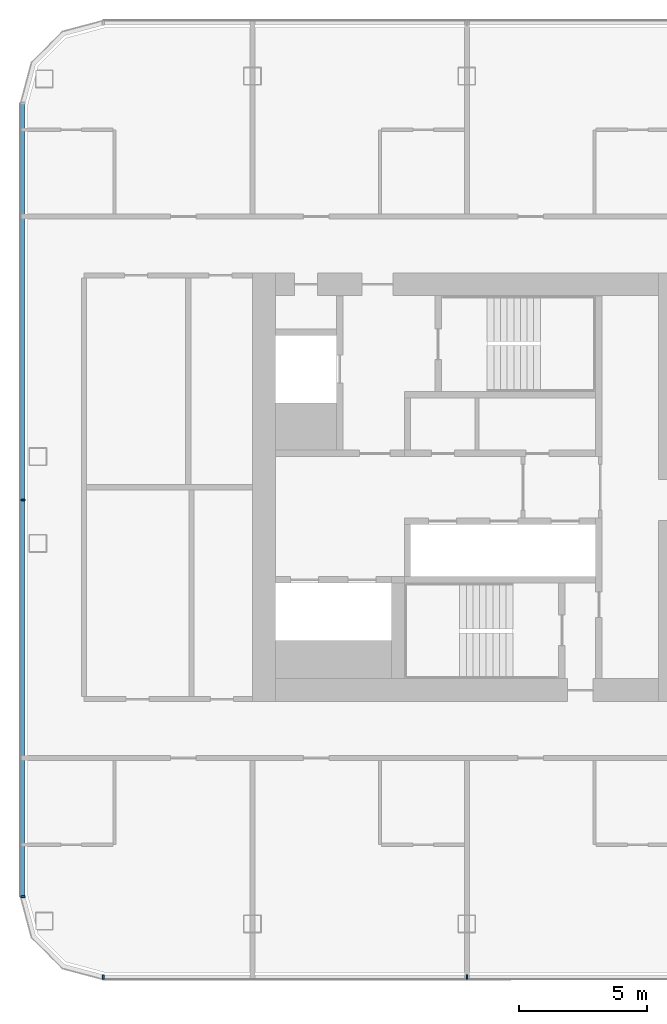
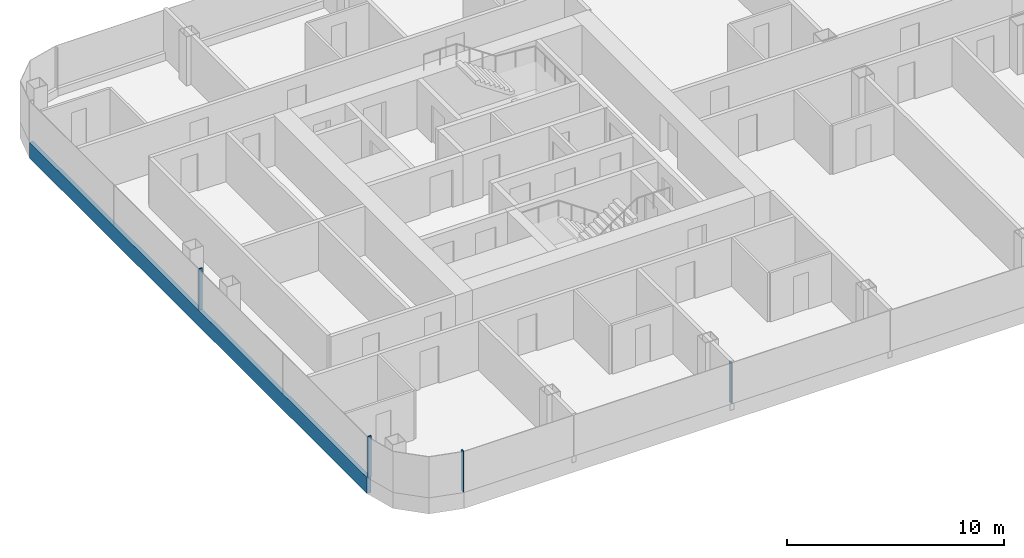
# One storey, part 2 of 26: 5 members, 2 elements without a shape of their own.
"""IFC4 building model written with IfcOpenShell, lengths in metres."""

from ifc_helpers import new_model, si_unit, direction, frame, origin, origin_2d, place, context, subcontext, project, spatial, rectangle, extrude, material, layer, layer_set, material_profile, profile_set, type_object, element, aggregate, save


model = new_model("IFC4")

# Units and contexts
model_context = context("Model", 3, precision=1e-05, world=origin(), true_north=direction((0.0, 1.0)))
body_context = subcontext(model_context, "Body", "Model", "MODEL_VIEW")
ifc_project = project(units=[si_unit("LENGTHUNIT", "METRE"), si_unit("AREAUNIT", "SQUARE_METRE"), si_unit("VOLUMEUNIT", "CUBIC_METRE"), si_unit("PLANEANGLEUNIT", "RADIAN"), si_unit("MASSUNIT", "GRAM", prefix="KILO")], contexts=[model_context])

# Site, building, storey
site_placement = place(None, origin())
site = spatial("IfcSite", under=ifc_project, at=site_placement, CompositionType="ELEMENT")
building_placement = place(site_placement, origin())
building = spatial("IfcBuilding", under=site, at=building_placement, Name="Hakoniwa Tower and Hamabe Station Hall", CompositionType="ELEMENT")
storey_placement = place(building_placement, frame((0.0, 0.0, 131.0)))
storey = spatial("IfcBuildingStorey", under=building, at=storey_placement, Name="L36", CompositionType="ELEMENT", Elevation=131.0)

# Curtain wall, members
ifc_material_1 = material(Name="Dark low-e laminated glass", Category="glass")
ifc_layer = layer(ifc_material_1, 0.199951171875)
ifc_layer_set = layer_set([ifc_layer], Name="CW-1 UNITISED GUEST")
curtain_wall_type = type_object("IfcCurtainWallType", Name="CW-1 UNITISED GUEST", PredefinedType="NOTDEFINED", material=ifc_layer_set)
curtain_wall_1_placement = place(storey_placement, origin())
curtain_wall_1 = element("IfcCurtainWall", 1, at=curtain_wall_1_placement, inside=storey, type_object=curtain_wall_type, Name="CW-1 curtain wall", PredefinedType="NOTDEFINED")
ifc_material_2 = material(Name="Aluminium 6063-T5 black anodised", Category="aluminium")
ifc_material_profile_1 = material_profile(ifc_material_2, rectangle(XDim=0.199951171875, YDim=0.89990234375, at=origin_2d()), Name="CW SLAB-EDGE BAND 900X200")
ifc_profile_set_1 = profile_set([ifc_material_profile_1], Name="Aluminium 6063-T5 black anodised")
member_type_1 = type_object("IfcMemberType", Name="CW SLAB-EDGE BAND 900X200", PredefinedType="USERDEFINED", material=ifc_profile_set_1)
member_1_placement = place(storey_placement, frame((-42.60009765625, 15.03955078125, -0.10009765625), z_axis=(0.0, -1.0, 0.0), x_axis=(1.0, 0.0, 0.0)))
member_1 = element("IfcMember", 2, at=member_1_placement, type_object=member_type_1, Name="CW-1 transom", ObjectType="TRANSOM", PredefinedType="USERDEFINED", context=body_context, shape_type="SweptSolid", body=[
    extrude(rectangle(XDim=0.199951171875, YDim=0.89990234375, at=origin_2d()), origin(), (0.0, 0.0, 1.0), 31.0791015625),
])
ifc_material_3 = material(Name="Aluminium 6063-T5 black anodised", Category="aluminium")
ifc_material_profile_2 = material_profile(ifc_material_3, rectangle(XDim=0.06005859375, YDim=0.179931640625, at=origin_2d()), Name="CW-1 MULLION 60X180")
ifc_profile_set_2 = profile_set([ifc_material_profile_2], Name="Aluminium 6063-T5 black anodised")
member_type_2 = type_object("IfcMemberType", Name="CW-1 MULLION 60X180", PredefinedType="MULLION", material=ifc_profile_set_2)
member_2_placement = place(storey_placement, frame((-42.58203125, -0.5, 0.35009765625), z_axis=(0.0, 0.0, 1.0), x_axis=(0.0, -1.0, 0.0)))
member_2 = element("IfcMember", 3, at=member_2_placement, type_object=member_type_2, Name="CW-1 mullion", PredefinedType="MULLION", context=body_context, shape_type="SweptSolid", body=[
    extrude(rectangle(XDim=0.06005859375, YDim=0.179931640625, at=origin_2d()), origin(), (0.0, 0.0, 1.0), 2.2998046875),
])
member_3_placement = place(storey_placement, frame((-42.58203125, -16.03955078125, 0.35009765625), z_axis=(0.0, 0.0, 1.0), x_axis=(0.0, -1.0, 0.0)))
member_3 = element("IfcMember", 4, at=member_3_placement, type_object=member_type_2, Name="CW-1 mullion", PredefinedType="MULLION", context=body_context, shape_type="SweptSolid", body=[
    extrude(rectangle(XDim=0.06005859375, YDim=0.179931640625, at=origin_2d()), origin(), (0.0, 0.0, 1.0), 2.2998046875),
])
aggregate(curtain_wall_1, [member_2, member_3, member_1])

curtain_wall_2_placement = place(storey_placement, origin())
curtain_wall_2 = element("IfcCurtainWall", 5, at=curtain_wall_2_placement, inside=storey, type_object=curtain_wall_type, Name="CW-1 curtain wall", PredefinedType="NOTDEFINED")
member_4_placement = place(storey_placement, frame((-39.439453125, -19.181884765625, 0.35009765625), z_axis=(0.0, 0.0, 1.0), x_axis=(1.0, 0.0, 0.0)))
member_4 = element("IfcMember", 6, at=member_4_placement, type_object=member_type_2, Name="CW-1 mullion", PredefinedType="MULLION", context=body_context, shape_type="SweptSolid", body=[
    extrude(rectangle(XDim=0.06005859375, YDim=0.179931640625, at=origin_2d()), origin(), (0.0, 0.0, 1.0), 2.2998046875),
])
member_5_placement = place(storey_placement, frame((-25.199951171875, -19.181884765625, 0.35009765625), z_axis=(0.0, 0.0, 1.0), x_axis=(1.0, 0.0, 0.0)))
member_5 = element("IfcMember", 7, at=member_5_placement, type_object=member_type_2, Name="CW-1 mullion", PredefinedType="MULLION", context=body_context, shape_type="SweptSolid", body=[
    extrude(rectangle(XDim=0.06005859375, YDim=0.179931640625, at=origin_2d()), origin(), (0.0, 0.0, 1.0), 2.2998046875),
])
aggregate(curtain_wall_2, [member_4, member_5])

save(model, "model.ifc")
